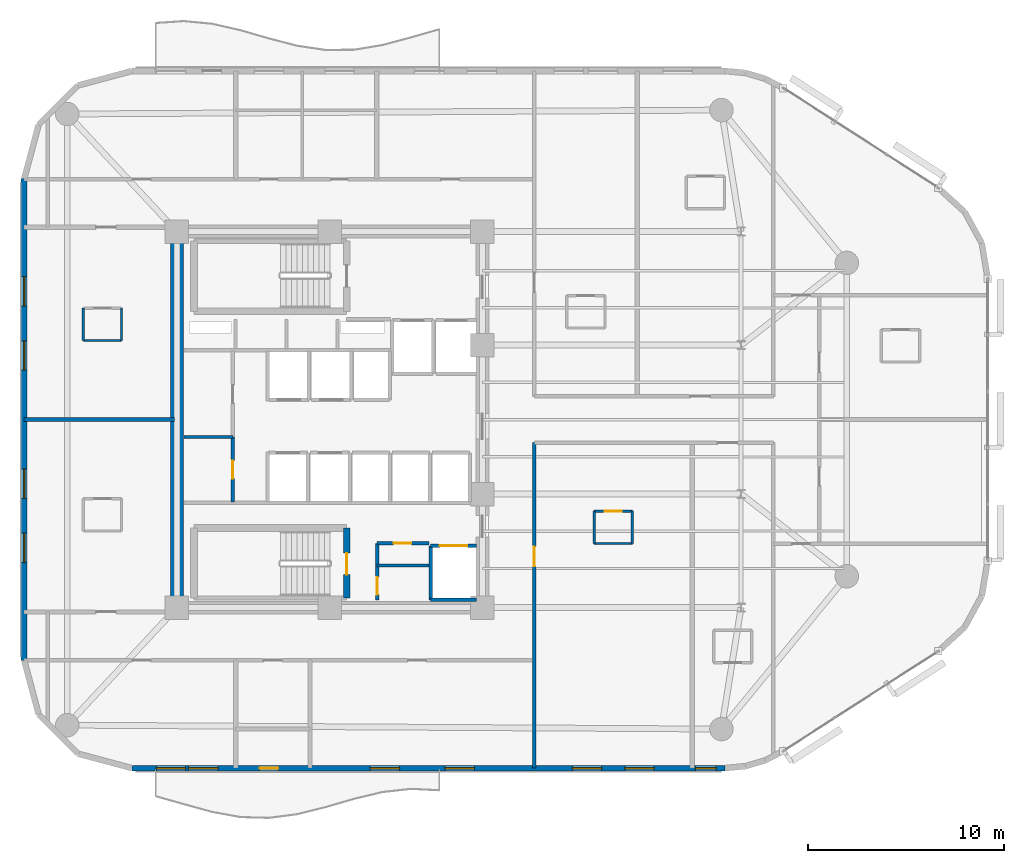
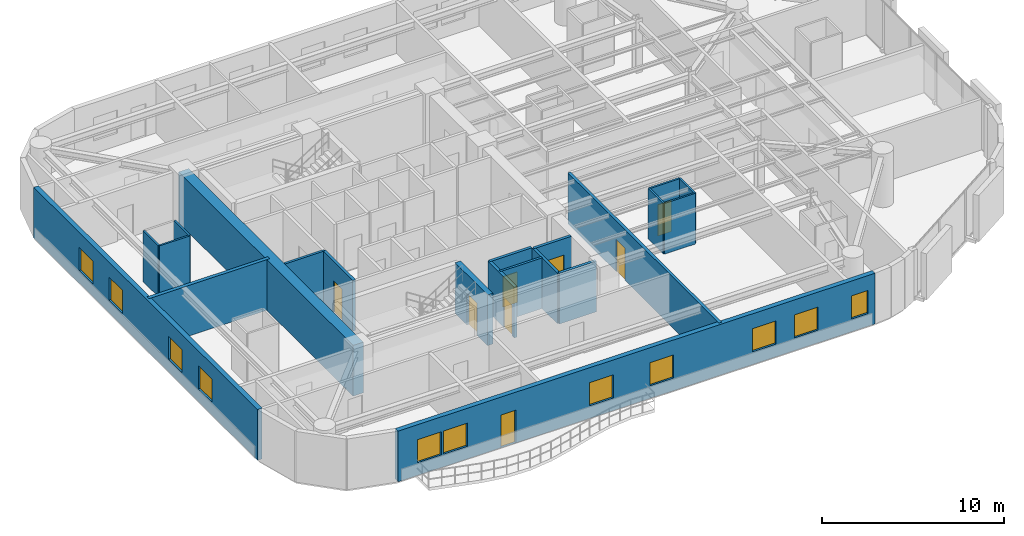
# One storey, part 10 of 15: 21 walls, 11 windows, 8 doors, 19 openings.
"""IFC4 building model written with IfcOpenShell, lengths in metres."""

from ifc_helpers import new_model, si_unit, direction, frame, frame_2d, origin, place, context, subcontext, project, spatial, rectangle, extrude, material, layer, layer_set, type_object, element, fill, save


model = new_model("IFC4")

# Units and contexts
model_context = context("Model", 3, precision=1e-05, world=origin(), true_north=direction((0.0, 1.0)))
body_context = subcontext(model_context, "Body", "Model", "MODEL_VIEW")
ifc_project = project(units=[si_unit("LENGTHUNIT", "METRE"), si_unit("AREAUNIT", "SQUARE_METRE"), si_unit("VOLUMEUNIT", "CUBIC_METRE"), si_unit("PLANEANGLEUNIT", "RADIAN"), si_unit("MASSUNIT", "GRAM", prefix="KILO")], contexts=[model_context])

# Site, building, storey
site_placement = place(None, origin())
site = spatial("IfcSite", under=ifc_project, at=site_placement, CompositionType="ELEMENT")
building_placement = place(site_placement, origin())
building = spatial("IfcBuilding", under=site, at=building_placement, Name="An Khanh Terracotta Commons", CompositionType="ELEMENT")
storey_placement = place(building_placement, frame((0.0, 0.0, 147.39990234375)))
storey = spatial("IfcBuildingStorey", under=building, at=storey_placement, Name="L38", CompositionType="ELEMENT", Elevation=147.39990234375)

# Wall
ifc_material_1 = material(Name="Concrete C60/75", Category="concrete")
ifc_layer_1 = layer(ifc_material_1, 0.64990234375, Name="Concrete C60/75")
ifc_layer_set_1 = layer_set([ifc_layer_1], Name="Concrete C60/75")
wall_type_1 = type_object("IfcWallType", Name="WALL-CORE-650", PredefinedType="SHEAR", material=ifc_layer_set_1)
wall_1_placement = place(storey_placement, frame((21.60009765625, 14.39990234375, 0.0), z_axis=(0.0, 0.0, 1.0), x_axis=(0.0, 1.0, 0.0)))
element("IfcWall", 1, at=wall_1_placement, inside=storey, type_object=wall_type_1, Name="L38 Core Wall CWALL-L38-W", PredefinedType="SHEAR", context=body_context, shape_type="SweptSolid", body=[
    extrude(rectangle(XDim=19.2001953125, YDim=0.64990234375, at=frame_2d((9.60009765625, 0.0))), origin(), (0.0, 0.0, 1.0), 3.400146484375),
])

# Wall, opening, door
ifc_material_2 = material(Name="Fire-Rated Gypsum Board on Steel Stud", Category="steel")
ifc_layer_2 = layer(ifc_material_2, 0.179931640625, Name="Fire-Rated Gypsum Board on Steel Stud")
ifc_layer_set_2 = layer_set([ifc_layer_2], Name="Fire-Rated Gypsum Board on Steel Stud")
wall_type_2 = type_object("IfcWallType", Name="WALL-CORR-180", PredefinedType="PARTITIONING", material=ifc_layer_set_2)
wall_2_placement = place(storey_placement, frame((31.820068359375, 17.679931640625, 0.0), z_axis=(0.0, 0.0, 1.0), x_axis=(1.0, 0.0, 0.0)))
wall_2 = element("IfcWall", 2, at=wall_2_placement, inside=storey, type_object=wall_type_2, Name="L38 Core Wall SSVCW-L38-N", PredefinedType="PARTITIONING", context=body_context, shape_type="SweptSolid", body=[
    extrude(rectangle(XDim=2.659912109375, YDim=0.179931640625, at=frame_2d((1.330078125, 0.0))), origin(), (0.0, 0.0, 1.0), 3.400146484375),
])
opening_1_placement = place(wall_2_placement, frame((0.85009765625, 0.0, 0.0)))
opening_1 = element("IfcOpeningElement", 3, at=opening_1_placement, cuts=wall_2, Name="Opening D-SV", PredefinedType="OPENING", context=body_context, shape_type="SweptSolid", body=[
    extrude(rectangle(XDim=0.89990234375, YDim=2.050048828125, at=frame_2d((0.449951171875, 1.02490234375))), frame((0.0, 0.099853515625, 0.0), z_axis=(0.0, -1.0, 0.0), x_axis=(1.0, 0.0, 0.0)), (0.0, 0.0, 1.0), 0.199951171875),
])
ifc_material_3 = material(Name="Fire-Rated Powder-Coated Steel Door", Category="steel")
door_type_1 = type_object("IfcDoorType", Name="DOOR-SERV-900", OperationType="NOTDEFINED", PredefinedType="DOOR", material=ifc_material_3)
door_1_placement = place(opening_1_placement, origin())
door_1 = element("IfcDoor", 4, at=door_1_placement, inside=storey, type_object=door_type_1, Name="L38 Core Cleaner Store Door", OperationType="SINGLE_SWING_LEFT", OverallHeight=2.050048828125, OverallWidth=0.89990234375, PredefinedType="DOOR", context=body_context, shape_type="SweptSolid", body=[
    extrude(rectangle(XDim=0.89990234375, YDim=2.050048828125, at=frame_2d((0.449951171875, 1.02490234375))), frame((0.0, 0.02490234375, 0.0), z_axis=(0.0, -1.0, 0.0), x_axis=(1.0, 0.0, 0.0)), (0.0, 0.0, 1.0), 0.050048828125),
])
fill(opening_1, door_1)

wall_3_placement = place(storey_placement, frame((31.820068359375, 14.800048828125, 0.0), z_axis=(0.0, 0.0, 1.0), x_axis=(0.0, 1.0, 0.0)))
wall_3 = element("IfcWall", 5, at=wall_3_placement, inside=storey, type_object=wall_type_2, Name="L38 Core Wall SSVCW-L38-W", PredefinedType="PARTITIONING", context=body_context, shape_type="SweptSolid", body=[
    extrude(rectangle(XDim=2.8798828125, YDim=0.179931640625, at=frame_2d((1.43994140625, 0.0))), origin(), (0.0, 0.0, 1.0), 3.400146484375),
])
opening_2_placement = place(wall_3_placement, frame((0.260009765625, 0.0, 0.0)))
opening_2 = element("IfcOpeningElement", 6, at=opening_2_placement, cuts=wall_3, Name="Opening D-SV", PredefinedType="OPENING", context=body_context, shape_type="SweptSolid", body=[
    extrude(rectangle(XDim=0.89990234375, YDim=2.050048828125, at=frame_2d((0.449951171875, 1.02490234375))), frame((0.0, 0.099853515625, 0.0), z_axis=(0.0, -1.0, 0.0), x_axis=(1.0, 0.0, 0.0)), (0.0, 0.0, 1.0), 0.199951171875),
])
door_2_placement = place(opening_2_placement, origin())
door_2 = element("IfcDoor", 7, at=door_2_placement, inside=storey, type_object=door_type_1, Name="L38 Telecoms BMS Cupboard Door", OperationType="SINGLE_SWING_RIGHT", OverallHeight=2.050048828125, OverallWidth=0.89990234375, PredefinedType="DOOR", context=body_context, shape_type="SweptSolid", body=[
    extrude(rectangle(XDim=0.89990234375, YDim=2.050048828125, at=frame_2d((0.449951171875, 1.02490234375))), frame((0.0, 0.02490234375, 0.0), z_axis=(0.0, -1.0, 0.0), x_axis=(1.0, 0.0, 0.0)), (0.0, 0.0, 1.0), 0.050048828125),
])
fill(opening_2, door_2)

wall_4_placement = place(storey_placement, frame((34.550048828125, 17.550048828125, 0.0), z_axis=(0.0, 0.0, 1.0), x_axis=(1.0, 0.0, 0.0)))
wall_4 = element("IfcWall", 8, at=wall_4_placement, inside=storey, type_object=wall_type_2, Name="L38 Core Wall LSH-L38-SVL-01-N", PredefinedType="PARTITIONING", context=body_context, shape_type="SweptSolid", body=[
    extrude(rectangle(XDim=2.349853515625, YDim=0.179931640625, at=frame_2d((1.1748046875, 0.0))), origin(), (0.0, 0.0, 1.0), 3.400146484375),
])
opening_3_placement = place(wall_4_placement, frame((0.47509765625, 0.0, 0.0)))
opening_3 = element("IfcOpeningElement", 9, at=opening_3_placement, cuts=wall_4, Name="Opening LD-SVL-01-L38", PredefinedType="OPENING", context=body_context, shape_type="SweptSolid", body=[
    extrude(rectangle(XDim=1.39990234375, YDim=2.300048828125, at=frame_2d((0.699951171875, 1.14990234375))), frame((0.0, 0.099853515625, 0.0), z_axis=(0.0, -1.0, 0.0), x_axis=(1.0, 0.0, 0.0)), (0.0, 0.0, 1.0), 0.199951171875),
])
ifc_material_4 = material(Name="Heavy-Duty Stainless Steel Goods Landing Door", Category="steel")
door_type_2 = type_object("IfcDoorType", Name="DOOR-LD-SVL-1400", OperationType="NOTDEFINED", PredefinedType="DOOR", material=ifc_material_4)
door_3_placement = place(opening_3_placement, origin())
door_3 = element("IfcDoor", 10, at=door_3_placement, inside=storey, type_object=door_type_2, Name="L38 Lift SVL-01 Sliding Landing Door", OperationType="DOUBLE_DOOR_SLIDING", OverallHeight=2.300048828125, OverallWidth=1.39990234375, PredefinedType="DOOR", context=body_context, shape_type="SweptSolid", body=[
    extrude(rectangle(XDim=1.39990234375, YDim=2.300048828125, at=frame_2d((0.699951171875, 1.14990234375))), frame((0.0, 0.02490234375, 0.0), z_axis=(0.0, -1.0, 0.0), x_axis=(1.0, 0.0, 0.0)), (0.0, 0.0, 1.0), 0.050048828125),
])
fill(opening_3, door_3)

# Walls
wall_5_placement = place(storey_placement, frame((36.89990234375, 14.800048828125, 0.0), z_axis=(0.0, 0.0, 1.0), x_axis=(-1.0, 0.0, 0.0)))
element("IfcWall", 11, at=wall_5_placement, inside=storey, type_object=wall_type_2, Name="L38 Core Wall LSH-L38-SVL-01-S", PredefinedType="PARTITIONING", context=body_context, shape_type="SweptSolid", body=[
    extrude(rectangle(XDim=2.349853515625, YDim=0.179931640625, at=frame_2d((1.1748046875, 0.0))), origin(), (0.0, 0.0, 1.0), 3.400146484375),
])
wall_6_placement = place(storey_placement, frame((34.550048828125, 17.550048828125, 0.0), z_axis=(0.0, 0.0, 1.0), x_axis=(0.0, -1.0, 0.0)))
element("IfcWall", 12, at=wall_6_placement, inside=storey, type_object=wall_type_2, Name="L38 Core Wall LSH-L38-SVL-01-W", PredefinedType="PARTITIONING", context=body_context, shape_type="SweptSolid", body=[
    extrude(rectangle(XDim=2.75, YDim=0.179931640625, at=frame_2d((1.375, 0.0))), origin(), (0.0, 0.0, 1.0), 3.400146484375),
])

# Wall, opening, door
wall_7_placement = place(storey_placement, frame((24.4599609375, 19.800048828125, 0.0), z_axis=(0.0, 0.0, 1.0), x_axis=(0.0, 1.0, 0.0)))
wall_7 = element("IfcWall", 13, at=wall_7_placement, inside=storey, type_object=wall_type_2, Name="L38 Core Wall RECW-L38-E2", PredefinedType="PARTITIONING", context=body_context, shape_type="SweptSolid", body=[
    extrude(rectangle(XDim=3.300048828125, YDim=0.179931640625, at=frame_2d((1.64990234375, 0.0))), origin(), (0.0, 0.0, 1.0), 3.400146484375),
])
opening_4_placement = place(wall_7_placement, frame((1.18994140625, 0.0, 0.0)))
opening_4 = element("IfcOpeningElement", 14, at=opening_4_placement, cuts=wall_7, Name="Opening D-RM", PredefinedType="OPENING", context=body_context, shape_type="SweptSolid", body=[
    extrude(rectangle(XDim=0.919921875, YDim=2.10009765625, at=frame_2d((0.4599609375, 1.050048828125))), frame((0.0, 0.099853515625, 0.0), z_axis=(0.0, -1.0, 0.0), x_axis=(1.0, 0.0, 0.0)), (0.0, 0.0, 1.0), 0.199951171875),
])
ifc_material_5 = material(Name="Engineered Hardwood Timber Leaf", Category="wood")
door_type_3 = type_object("IfcDoorType", Name="DOOR-INT-920", OperationType="NOTDEFINED", PredefinedType="DOOR", material=ifc_material_5)
door_4_placement = place(opening_4_placement, origin())
door_4 = element("IfcDoor", 15, at=door_4_placement, inside=storey, type_object=door_type_3, Name="L38 Quiet Focus Booth Door", OperationType="SINGLE_SWING_RIGHT", OverallHeight=2.10009765625, OverallWidth=0.919921875, PredefinedType="DOOR", context=body_context, shape_type="SweptSolid", body=[
    extrude(rectangle(XDim=0.919921875, YDim=2.10009765625, at=frame_2d((0.4599609375, 1.050048828125))), frame((0.0, 0.02490234375, 0.0), z_axis=(0.0, -1.0, 0.0), x_axis=(1.0, 0.0, 0.0)), (0.0, 0.0, 1.0), 0.050048828125),
])
fill(opening_4, door_4)

wall_8_placement = place(storey_placement, frame((39.85009765625, 6.199951171875, 0.0), z_axis=(0.0, 0.0, 1.0), x_axis=(0.0, 1.0, 0.0)))
wall_8 = element("IfcWall", 16, at=wall_8_placement, inside=storey, type_object=wall_type_2, Name="L38 Interior Partition IW-L38-E020", PredefinedType="PARTITIONING", context=body_context, shape_type="SweptSolid", body=[
    extrude(rectangle(XDim=16.6201171875, YDim=0.179931640625, at=frame_2d((8.31005859375, 0.0))), origin(), (0.0, 0.0, 1.0), 3.400146484375),
])
opening_5_placement = place(wall_8_placement, frame((10.31005859375, 0.0, 0.0)))
opening_5 = element("IfcOpeningElement", 17, at=opening_5_placement, cuts=wall_8, Name="Opening D-UN", PredefinedType="OPENING", context=body_context, shape_type="SweptSolid", body=[
    extrude(rectangle(XDim=1.0, YDim=2.14990234375, at=frame_2d((0.5, 1.074951171875))), frame((0.0, 0.099853515625, 0.0), z_axis=(0.0, -1.0, 0.0), x_axis=(1.0, 0.0, 0.0)), (0.0, 0.0, 1.0), 0.199951171875),
])
ifc_material_6 = material(Name="Solid-Core Hardwood Acoustic Fire Door", Category="wood")
door_type_4 = type_object("IfcDoorType", Name="DOOR-UNIT-1000", OperationType="NOTDEFINED", PredefinedType="DOOR", material=ifc_material_6)
door_5_placement = place(opening_5_placement, origin())
door_5 = element("IfcDoor", 18, at=door_5_placement, inside=storey, type_object=door_type_4, Name="L38 SB1 Kitchenette and Studio Apartment Door", OperationType="SINGLE_SWING_LEFT", OverallHeight=2.14990234375, OverallWidth=1.0, PredefinedType="DOOR", context=body_context, shape_type="SweptSolid", body=[
    extrude(rectangle(XDim=1.0, YDim=2.14990234375, at=frame_2d((0.5, 1.074951171875))), frame((0.0, 0.02490234375, 0.0), z_axis=(0.0, -1.0, 0.0), x_axis=(1.0, 0.0, 0.0)), (0.0, 0.0, 1.0), 0.050048828125),
])
fill(opening_5, door_5)

# Wall, openings, door, windows
ifc_material_7 = material(Name="Precast concrete C40/50", Category="concrete")
ifc_layer_3 = layer(ifc_material_7, 0.300048828125, Name="Precast concrete C40/50")
ifc_layer_set_3 = layer_set([ifc_layer_3], Name="Precast concrete C40/50")
wall_type_3 = type_object("IfcWallType", Name="WALL-EXT-300", PredefinedType="SOLIDWALL", material=ifc_layer_set_3)
wall_9_placement = place(storey_placement, frame((19.300048828125, 6.199951171875, 0.0), z_axis=(0.0, 0.0, 1.0), x_axis=(1.0, 0.0, 0.0)))
wall_9 = element("IfcWall", 19, at=wall_9_placement, inside=storey, type_object=wall_type_3, Name="L38 Insulated Terracotta Exterior Wall 4", PredefinedType="SOLIDWALL", context=body_context, shape_type="SweptSolid", body=[
    extrude(rectangle(XDim=30.281982421875, YDim=0.300048828125, at=frame_2d((15.14111328125, 0.0))), origin(), (0.0, 0.0, 1.0), 3.400146484375),
])
opening_6_placement = place(wall_9_placement, frame((6.52490234375, 0.0, 0.0)))
opening_6 = element("IfcOpeningElement", 20, at=opening_6_placement, cuts=wall_9, Name="Opening D-BAL", PredefinedType="OPENING", context=body_context, shape_type="SweptSolid", body=[
    extrude(rectangle(XDim=0.949951171875, YDim=2.199951171875, at=frame_2d((0.47509765625, 1.10009765625))), frame((0.0, 0.159912109375, 0.0), z_axis=(0.0, -1.0, 0.0), x_axis=(1.0, 0.0, 0.0)), (0.0, 0.0, 1.0), 0.320068359375),
])
opening_7_placement = place(wall_9_placement, frame((1.25, 0.0, 0.85009765625)))
opening_7 = element("IfcOpeningElement", 21, at=opening_7_placement, cuts=wall_9, Name="Opening W-03", PredefinedType="OPENING", context=body_context, shape_type="SweptSolid", body=[
    extrude(rectangle(XDim=1.5, YDim=1.550048828125, at=frame_2d((0.75, 0.77490234375))), frame((0.0, 0.159912109375, 0.0), z_axis=(0.0, -1.0, 0.0), x_axis=(1.0, 0.0, 0.0)), (0.0, 0.0, 1.0), 0.320068359375),
])
opening_8_placement = place(wall_9_placement, frame((2.89990234375, 0.0, 0.85009765625)))
opening_8 = element("IfcOpeningElement", 22, at=opening_8_placement, cuts=wall_9, Name="Opening W-03", PredefinedType="OPENING", context=body_context, shape_type="SweptSolid", body=[
    extrude(rectangle(XDim=1.5, YDim=1.550048828125, at=frame_2d((0.75, 0.77490234375))), frame((0.0, 0.159912109375, 0.0), z_axis=(0.0, -1.0, 0.0), x_axis=(1.0, 0.0, 0.0)), (0.0, 0.0, 1.0), 0.320068359375),
])
opening_9_placement = place(wall_9_placement, frame((12.1669921875, 0.0, 0.85009765625)))
opening_9 = element("IfcOpeningElement", 23, at=opening_9_placement, cuts=wall_9, Name="Opening W-03", PredefinedType="OPENING", context=body_context, shape_type="SweptSolid", body=[
    extrude(rectangle(XDim=1.5, YDim=1.550048828125, at=frame_2d((0.75, 0.77490234375))), frame((0.0, 0.159912109375, 0.0), z_axis=(0.0, -1.0, 0.0), x_axis=(1.0, 0.0, 0.0)), (0.0, 0.0, 1.0), 0.320068359375),
])
opening_10_placement = place(wall_9_placement, frame((15.98291015625, 0.0, 0.85009765625)))
opening_10 = element("IfcOpeningElement", 24, at=opening_10_placement, cuts=wall_9, Name="Opening W-03", PredefinedType="OPENING", context=body_context, shape_type="SweptSolid", body=[
    extrude(rectangle(XDim=1.5, YDim=1.550048828125, at=frame_2d((0.75, 0.77490234375))), frame((0.0, 0.159912109375, 0.0), z_axis=(0.0, -1.0, 0.0), x_axis=(1.0, 0.0, 0.0)), (0.0, 0.0, 1.0), 0.320068359375),
])
opening_11_placement = place(wall_9_placement, frame((22.48388671875, 0.0, 0.85009765625)))
opening_11 = element("IfcOpeningElement", 25, at=opening_11_placement, cuts=wall_9, Name="Opening W-03", PredefinedType="OPENING", context=body_context, shape_type="SweptSolid", body=[
    extrude(rectangle(XDim=1.5, YDim=1.550048828125, at=frame_2d((0.75, 0.77490234375))), frame((0.0, 0.159912109375, 0.0), z_axis=(0.0, -1.0, 0.0), x_axis=(1.0, 0.0, 0.0)), (0.0, 0.0, 1.0), 0.320068359375),
])
opening_12_placement = place(wall_9_placement, frame((25.16796875, 0.0, 0.85009765625)))
opening_12 = element("IfcOpeningElement", 26, at=opening_12_placement, cuts=wall_9, Name="Opening W-03", PredefinedType="OPENING", context=body_context, shape_type="SweptSolid", body=[
    extrude(rectangle(XDim=1.5, YDim=1.550048828125, at=frame_2d((0.75, 0.77490234375))), frame((0.0, 0.159912109375, 0.0), z_axis=(0.0, -1.0, 0.0), x_axis=(1.0, 0.0, 0.0)), (0.0, 0.0, 1.0), 0.320068359375),
])
opening_13_placement = place(wall_9_placement, frame((28.77294921875, 0.0, 0.85009765625)))
opening_13 = element("IfcOpeningElement", 27, at=opening_13_placement, cuts=wall_9, Name="Opening W-06", PredefinedType="OPENING", context=body_context, shape_type="SweptSolid", body=[
    extrude(rectangle(XDim=1.050048828125, YDim=1.550048828125, at=frame_2d((0.52490234375, 0.77490234375))), frame((0.0, 0.159912109375, 0.0), z_axis=(0.0, -1.0, 0.0), x_axis=(1.0, 0.0, 0.0)), (0.0, 0.0, 1.0), 0.320068359375),
])
ifc_material_8 = material(Name="Thermally Broken Aluminium and Low-E Glass", Category="aluminium")
door_type_5 = type_object("IfcDoorType", Name="DOOR-BALC-950", OperationType="NOTDEFINED", PredefinedType="DOOR", material=ifc_material_8)
door_6_placement = place(opening_6_placement, origin())
door_6 = element("IfcDoor", 28, at=door_6_placement, inside=storey, type_object=door_type_5, Name="L38 S Wave Balcony Glazed Door", OperationType="SINGLE_SWING_LEFT", OverallHeight=2.199951171875, OverallWidth=0.949951171875, PredefinedType="DOOR", context=body_context, shape_type="SweptSolid", body=[
    extrude(rectangle(XDim=0.949951171875, YDim=2.199951171875, at=frame_2d((0.47509765625, 1.10009765625))), frame((0.0, 0.02490234375, 0.0), z_axis=(0.0, -1.0, 0.0), x_axis=(1.0, 0.0, 0.0)), (0.0, 0.0, 1.0), 0.050048828125),
])
fill(opening_6, door_6)
window_type_1 = type_object("IfcWindowType", Name="WIN-COR-1050x1550", PartitioningType="SINGLE_PANEL", PredefinedType="WINDOW", material=ifc_material_8)
window_1_placement = place(opening_13_placement, origin())
window_1 = element("IfcWindow", 29, at=window_1_placement, inside=storey, type_object=window_type_1, Name="L38 L38-SB2 Dwelling Casement Window", OverallHeight=1.550048828125, OverallWidth=1.050048828125, PartitioningType="SINGLE_PANEL", PredefinedType="WINDOW", context=body_context, shape_type="SweptSolid", body=[
    extrude(rectangle(XDim=1.050048828125, YDim=1.550048828125, at=frame_2d((0.52490234375, 0.77490234375))), frame((0.0, 0.030029296875, 0.0), z_axis=(0.0, -1.0, 0.0), x_axis=(1.0, 0.0, 0.0)), (0.0, 0.0, 1.0), 0.06005859375),
])
fill(opening_13, window_1)
window_type_2 = type_object("IfcWindowType", Name="WIN-Z3-1500x1550", PartitioningType="DOUBLE_PANEL_VERTICAL", PredefinedType="WINDOW", material=ifc_material_8)
window_2_placement = place(opening_7_placement, origin())
window_2 = element("IfcWindow", 30, at=window_2_placement, inside=storey, type_object=window_type_2, Name="L38 Operable Casement Window 4.1", OverallHeight=1.550048828125, OverallWidth=1.5, PartitioningType="DOUBLE_PANEL_VERTICAL", PredefinedType="WINDOW", context=body_context, shape_type="SweptSolid", body=[
    extrude(rectangle(XDim=1.5, YDim=1.550048828125, at=frame_2d((0.75, 0.77490234375))), frame((0.0, 0.030029296875, 0.0), z_axis=(0.0, -1.0, 0.0), x_axis=(1.0, 0.0, 0.0)), (0.0, 0.0, 1.0), 0.06005859375),
])
fill(opening_7, window_2)
window_3_placement = place(opening_8_placement, origin())
window_3 = element("IfcWindow", 31, at=window_3_placement, inside=storey, type_object=window_type_2, Name="L38 Operable Casement Window 4.2", OverallHeight=1.550048828125, OverallWidth=1.5, PartitioningType="DOUBLE_PANEL_VERTICAL", PredefinedType="WINDOW", context=body_context, shape_type="SweptSolid", body=[
    extrude(rectangle(XDim=1.5, YDim=1.550048828125, at=frame_2d((0.75, 0.77490234375))), frame((0.0, 0.030029296875, 0.0), z_axis=(0.0, -1.0, 0.0), x_axis=(1.0, 0.0, 0.0)), (0.0, 0.0, 1.0), 0.06005859375),
])
fill(opening_8, window_3)
window_4_placement = place(opening_9_placement, origin())
window_4 = element("IfcWindow", 32, at=window_4_placement, inside=storey, type_object=window_type_2, Name="L38 Operable Casement Window 4.3", OverallHeight=1.550048828125, OverallWidth=1.5, PartitioningType="DOUBLE_PANEL_VERTICAL", PredefinedType="WINDOW", context=body_context, shape_type="SweptSolid", body=[
    extrude(rectangle(XDim=1.5, YDim=1.550048828125, at=frame_2d((0.75, 0.77490234375))), frame((0.0, 0.030029296875, 0.0), z_axis=(0.0, -1.0, 0.0), x_axis=(1.0, 0.0, 0.0)), (0.0, 0.0, 1.0), 0.06005859375),
])
fill(opening_9, window_4)
window_5_placement = place(opening_10_placement, origin())
window_5 = element("IfcWindow", 33, at=window_5_placement, inside=storey, type_object=window_type_2, Name="L38 Operable Casement Window 4.4", OverallHeight=1.550048828125, OverallWidth=1.5, PartitioningType="DOUBLE_PANEL_VERTICAL", PredefinedType="WINDOW", context=body_context, shape_type="SweptSolid", body=[
    extrude(rectangle(XDim=1.5, YDim=1.550048828125, at=frame_2d((0.75, 0.77490234375))), frame((0.0, 0.030029296875, 0.0), z_axis=(0.0, -1.0, 0.0), x_axis=(1.0, 0.0, 0.0)), (0.0, 0.0, 1.0), 0.06005859375),
])
fill(opening_10, window_5)
window_6_placement = place(opening_11_placement, origin())
window_6 = element("IfcWindow", 34, at=window_6_placement, inside=storey, type_object=window_type_2, Name="L38 Operable Casement Window 4.5", OverallHeight=1.550048828125, OverallWidth=1.5, PartitioningType="DOUBLE_PANEL_VERTICAL", PredefinedType="WINDOW", context=body_context, shape_type="SweptSolid", body=[
    extrude(rectangle(XDim=1.5, YDim=1.550048828125, at=frame_2d((0.75, 0.77490234375))), frame((0.0, 0.030029296875, 0.0), z_axis=(0.0, -1.0, 0.0), x_axis=(1.0, 0.0, 0.0)), (0.0, 0.0, 1.0), 0.06005859375),
])
fill(opening_11, window_6)
window_7_placement = place(opening_12_placement, origin())
window_7 = element("IfcWindow", 35, at=window_7_placement, inside=storey, type_object=window_type_2, Name="L38 Operable Casement Window 4.6", OverallHeight=1.550048828125, OverallWidth=1.5, PartitioningType="DOUBLE_PANEL_VERTICAL", PredefinedType="WINDOW", context=body_context, shape_type="SweptSolid", body=[
    extrude(rectangle(XDim=1.5, YDim=1.550048828125, at=frame_2d((0.75, 0.77490234375))), frame((0.0, 0.030029296875, 0.0), z_axis=(0.0, -1.0, 0.0), x_axis=(1.0, 0.0, 0.0)), (0.0, 0.0, 1.0), 0.06005859375),
])
fill(opening_12, window_7)

# Wall, openings, windows
wall_10_placement = place(storey_placement, frame((13.800048828125, 36.300048828125, 0.0), z_axis=(0.0, 0.0, 1.0), x_axis=(0.0, -1.0, 0.0)))
wall_10 = element("IfcWall", 36, at=wall_10_placement, inside=storey, type_object=wall_type_3, Name="L38 Insulated Terracotta Exterior Wall 24", PredefinedType="SOLIDWALL", context=body_context, shape_type="SweptSolid", body=[
    extrude(rectangle(XDim=24.60009765625, YDim=0.300048828125, at=frame_2d((12.300048828125, 0.0))), origin(), (0.0, 0.0, 1.0), 3.400146484375),
])
opening_14_placement = place(wall_10_placement, frame((5.0029296875, 0.0, 0.85009765625)))
opening_14 = element("IfcOpeningElement", 37, at=opening_14_placement, cuts=wall_10, Name="Opening W-03", PredefinedType="OPENING", context=body_context, shape_type="SweptSolid", body=[
    extrude(rectangle(XDim=1.5, YDim=1.550048828125, at=frame_2d((0.75, 0.77490234375))), frame((0.0, 0.159912109375, 0.0), z_axis=(0.0, -1.0, 0.0), x_axis=(1.0, 0.0, 0.0)), (0.0, 0.0, 1.0), 0.320068359375),
])
opening_15_placement = place(wall_10_placement, frame((8.277099609375, 0.0, 0.85009765625)))
opening_15 = element("IfcOpeningElement", 38, at=opening_15_placement, cuts=wall_10, Name="Opening W-03", PredefinedType="OPENING", context=body_context, shape_type="SweptSolid", body=[
    extrude(rectangle(XDim=1.5, YDim=1.550048828125, at=frame_2d((0.75, 0.77490234375))), frame((0.0, 0.159912109375, 0.0), z_axis=(0.0, -1.0, 0.0), x_axis=(1.0, 0.0, 0.0)), (0.0, 0.0, 1.0), 0.320068359375),
])
opening_16_placement = place(wall_10_placement, frame((14.822998046875, 0.0, 0.85009765625)))
opening_16 = element("IfcOpeningElement", 39, at=opening_16_placement, cuts=wall_10, Name="Opening W-03", PredefinedType="OPENING", context=body_context, shape_type="SweptSolid", body=[
    extrude(rectangle(XDim=1.5, YDim=1.550048828125, at=frame_2d((0.75, 0.77490234375))), frame((0.0, 0.159912109375, 0.0), z_axis=(0.0, -1.0, 0.0), x_axis=(1.0, 0.0, 0.0)), (0.0, 0.0, 1.0), 0.320068359375),
])
opening_17_placement = place(wall_10_placement, frame((18.096923828125, 0.0, 0.85009765625)))
opening_17 = element("IfcOpeningElement", 40, at=opening_17_placement, cuts=wall_10, Name="Opening W-03", PredefinedType="OPENING", context=body_context, shape_type="SweptSolid", body=[
    extrude(rectangle(XDim=1.5, YDim=1.550048828125, at=frame_2d((0.75, 0.77490234375))), frame((0.0, 0.159912109375, 0.0), z_axis=(0.0, -1.0, 0.0), x_axis=(1.0, 0.0, 0.0)), (0.0, 0.0, 1.0), 0.320068359375),
])
window_8_placement = place(opening_14_placement, origin())
window_8 = element("IfcWindow", 41, at=window_8_placement, inside=storey, type_object=window_type_2, Name="L38 Operable Casement Window 24.1", OverallHeight=1.550048828125, OverallWidth=1.5, PartitioningType="DOUBLE_PANEL_VERTICAL", PredefinedType="WINDOW", context=body_context, shape_type="SweptSolid", body=[
    extrude(rectangle(XDim=1.5, YDim=1.550048828125, at=frame_2d((0.75, 0.77490234375))), frame((0.0, 0.030029296875, 0.0), z_axis=(0.0, -1.0, 0.0), x_axis=(1.0, 0.0, 0.0)), (0.0, 0.0, 1.0), 0.06005859375),
])
fill(opening_14, window_8)
window_9_placement = place(opening_15_placement, origin())
window_9 = element("IfcWindow", 42, at=window_9_placement, inside=storey, type_object=window_type_2, Name="L38 Operable Casement Window 24.2", OverallHeight=1.550048828125, OverallWidth=1.5, PartitioningType="DOUBLE_PANEL_VERTICAL", PredefinedType="WINDOW", context=body_context, shape_type="SweptSolid", body=[
    extrude(rectangle(XDim=1.5, YDim=1.550048828125, at=frame_2d((0.75, 0.77490234375))), frame((0.0, 0.030029296875, 0.0), z_axis=(0.0, -1.0, 0.0), x_axis=(1.0, 0.0, 0.0)), (0.0, 0.0, 1.0), 0.06005859375),
])
fill(opening_15, window_9)
window_10_placement = place(opening_16_placement, origin())
window_10 = element("IfcWindow", 43, at=window_10_placement, inside=storey, type_object=window_type_2, Name="L38 Operable Casement Window 24.3", OverallHeight=1.550048828125, OverallWidth=1.5, PartitioningType="DOUBLE_PANEL_VERTICAL", PredefinedType="WINDOW", context=body_context, shape_type="SweptSolid", body=[
    extrude(rectangle(XDim=1.5, YDim=1.550048828125, at=frame_2d((0.75, 0.77490234375))), frame((0.0, 0.030029296875, 0.0), z_axis=(0.0, -1.0, 0.0), x_axis=(1.0, 0.0, 0.0)), (0.0, 0.0, 1.0), 0.06005859375),
])
fill(opening_16, window_10)
window_11_placement = place(opening_17_placement, origin())
window_11 = element("IfcWindow", 44, at=window_11_placement, inside=storey, type_object=window_type_2, Name="L38 Operable Casement Window 24.4", OverallHeight=1.550048828125, OverallWidth=1.5, PartitioningType="DOUBLE_PANEL_VERTICAL", PredefinedType="WINDOW", context=body_context, shape_type="SweptSolid", body=[
    extrude(rectangle(XDim=1.5, YDim=1.550048828125, at=frame_2d((0.75, 0.77490234375))), frame((0.0, 0.030029296875, 0.0), z_axis=(0.0, -1.0, 0.0), x_axis=(1.0, 0.0, 0.0)), (0.0, 0.0, 1.0), 0.06005859375),
])
fill(opening_17, window_11)

# Walls
ifc_material_9 = material(Name="Acoustic Gypsum Board Partition")
ifc_layer_4 = layer(ifc_material_9, 0.14990234375, Name="Acoustic Gypsum Board Partition")
ifc_layer_set_4 = layer_set([ifc_layer_4], Name="Acoustic Gypsum Board Partition")
wall_type_4 = type_object("IfcWallType", Name="WALL-PART-150", PredefinedType="PARTITIONING", material=ifc_layer_set_4)
wall_11_placement = place(storey_placement, frame((31.820068359375, 16.550048828125, 0.0), z_axis=(0.0, 0.0, 1.0), x_axis=(1.0, 0.0, 0.0)))
element("IfcWall", 45, at=wall_11_placement, inside=storey, type_object=wall_type_4, Name="L38 Core Wall SSVCW-L38-M", PredefinedType="PARTITIONING", context=body_context, shape_type="SweptSolid", body=[
    extrude(rectangle(XDim=2.659912109375, YDim=0.14990234375, at=frame_2d((1.330078125, 0.0))), origin(), (0.0, 0.0, 1.0), 3.400146484375),
])
wall_12_placement = place(storey_placement, frame((21.949951171875, 23.10009765625, 0.0), z_axis=(0.0, 0.0, 1.0), x_axis=(1.0, 0.0, 0.0)))
element("IfcWall", 46, at=wall_12_placement, inside=storey, type_object=wall_type_4, Name="L38 Core Wall RECW-L38-M", PredefinedType="PARTITIONING", context=body_context, shape_type="SweptSolid", body=[
    extrude(rectangle(XDim=2.510009765625, YDim=0.14990234375, at=frame_2d((1.2548828125, 0.0))), origin(), (0.0, 0.0, 1.0), 3.400146484375),
])
ifc_material_10 = material(Name="Acoustic Double-Stud Gypsum and Mineral Wool")
ifc_layer_5 = layer(ifc_material_10, 0.219970703125, Name="Acoustic Double-Stud Gypsum and Mineral Wool")
ifc_layer_set_5 = layer_set([ifc_layer_5], Name="Acoustic Double-Stud Gypsum and Mineral Wool")
wall_type_5 = type_object("IfcWallType", Name="WALL-PARTY-220", PredefinedType="PARTITIONING", material=ifc_layer_set_5)
wall_13_placement = place(storey_placement, frame((13.800048828125, 24.0, 0.0), z_axis=(0.0, 0.0, 1.0), x_axis=(1.0, 0.0, 0.0)))
element("IfcWall", 47, at=wall_13_placement, inside=storey, type_object=wall_type_5, Name="L38 Interior Partition IW-L38-E006", PredefinedType="PARTITIONING", context=body_context, shape_type="SweptSolid", body=[
    extrude(rectangle(XDim=7.679931640625, YDim=0.219970703125, at=frame_2d((3.83984375, 0.0))), origin(), (0.0, 0.0, 1.0), 3.400146484375),
])

# Wall, opening, door
ifc_material_11 = material(Name="Concrete C50/60", Category="concrete")
ifc_layer_6 = layer(ifc_material_11, 0.35009765625, Name="Concrete C50/60")
ifc_layer_set_6 = layer_set([ifc_layer_6], Name="Concrete C50/60")
wall_type_6 = type_object("IfcWallType", Name="WALL-SHAFT-350", PredefinedType="SOLIDWALL", material=ifc_layer_set_6)
wall_14_placement = place(storey_placement, frame((30.27001953125, 14.889892578125, 0.0), z_axis=(0.0, 0.0, 1.0), x_axis=(0.0, 1.0, 0.0)))
wall_14 = element("IfcWall", 48, at=wall_14_placement, inside=storey, type_object=wall_type_6, Name="L38 Core Wall STW-L38-S-E", PredefinedType="SOLIDWALL", context=body_context, shape_type="SweptSolid", body=[
    extrude(rectangle(XDim=3.580078125, YDim=0.35009765625, at=frame_2d((1.7900390625, 0.0))), origin(), (0.0, 0.0, 1.0), 3.400146484375),
])
opening_18_placement = place(wall_14_placement, frame((1.18994140625, 0.0, 0.0)))
opening_18 = element("IfcOpeningElement", 49, at=opening_18_placement, cuts=wall_14, Name="Opening D-ST", PredefinedType="OPENING", context=body_context, shape_type="SweptSolid", body=[
    extrude(rectangle(XDim=1.10009765625, YDim=2.14990234375, at=frame_2d((0.550048828125, 1.074951171875))), frame((0.0, 0.18505859375, 0.0), z_axis=(0.0, -1.0, 0.0), x_axis=(1.0, 0.0, 0.0)), (0.0, 0.0, 1.0), 0.3701171875),
])
ifc_material_12 = material(Name="Fire-Rated Steel Leaf and Frame", Category="steel")
door_type_6 = type_object("IfcDoorType", Name="DOOR-STAIR-1100", OperationType="NOTDEFINED", PredefinedType="DOOR", material=ifc_material_12)
door_7_placement = place(opening_18_placement, origin())
door_7 = element("IfcDoor", 50, at=door_7_placement, inside=storey, type_object=door_type_6, Name="L38 Stair ST-02 Fire Door", OperationType="SINGLE_SWING_RIGHT", OverallHeight=2.14990234375, OverallWidth=1.10009765625, PredefinedType="DOOR", context=body_context, shape_type="SweptSolid", body=[
    extrude(rectangle(XDim=1.10009765625, YDim=2.14990234375, at=frame_2d((0.550048828125, 1.074951171875))), frame((0.0, 0.02490234375, 0.0), z_axis=(0.0, -1.0, 0.0), x_axis=(1.0, 0.0, 0.0)), (0.0, 0.0, 1.0), 0.050048828125),
])
fill(opening_18, door_7)

ifc_material_13 = material(Name="Moisture-Resistant Cement Board Partition")
ifc_layer_7 = layer(ifc_material_13, 0.1201171875, Name="Moisture-Resistant Cement Board Partition")
ifc_layer_set_7 = layer_set([ifc_layer_7], Name="Moisture-Resistant Cement Board Partition")
wall_type_7 = type_object("IfcWallType", Name="WALL-WET-120", PredefinedType="PARTITIONING", material=ifc_layer_set_7)
wall_15_placement = place(storey_placement, frame((42.90087890625, 19.324951171875, 0.0), z_axis=(0.0, 0.0, 1.0), x_axis=(1.0, 0.0, 0.0)))
wall_15 = element("IfcWall", 51, at=wall_15_placement, inside=storey, type_object=wall_type_7, Name="L38 Interior Partition IW-L38-SB1-BN", PredefinedType="PARTITIONING", context=body_context, shape_type="SweptSolid", body=[
    extrude(rectangle(XDim=1.9501953125, YDim=0.1201171875, at=frame_2d((0.97509765625, 0.0))), origin(), (0.0, 0.0, 1.0), 3.400146484375),
])
opening_19_placement = place(wall_15_placement, frame((0.544921875, 0.0, 0.0)))
opening_19 = element("IfcOpeningElement", 52, at=opening_19_placement, cuts=wall_15, Name="Opening D-ENS", PredefinedType="OPENING", context=body_context, shape_type="SweptSolid", body=[
    extrude(rectangle(XDim=0.860107421875, YDim=2.10009765625, at=frame_2d((0.43017578125, 1.050048828125))), frame((0.0, 0.070068359375, 0.0), z_axis=(0.0, -1.0, 0.0), x_axis=(1.0, 0.0, 0.0)), (0.0, 0.0, 1.0), 0.14013671875),
])
ifc_material_14 = material(Name="Moisture-Resistant Hardwood Timber Leaf", Category="wood")
door_type_7 = type_object("IfcDoorType", Name="DOOR-BATH-860", OperationType="NOTDEFINED", PredefinedType="DOOR", material=ifc_material_14)
door_8_placement = place(opening_19_placement, origin())
door_8 = element("IfcDoor", 53, at=door_8_placement, inside=storey, type_object=door_type_7, Name="L38 Studio SB1 En-suite Door", OperationType="SINGLE_SWING_LEFT", OverallHeight=2.10009765625, OverallWidth=0.860107421875, PredefinedType="DOOR", context=body_context, shape_type="SweptSolid", body=[
    extrude(rectangle(XDim=0.860107421875, YDim=2.10009765625, at=frame_2d((0.43017578125, 1.050048828125))), frame((0.0, 0.02490234375, 0.0), z_axis=(0.0, -1.0, 0.0), x_axis=(1.0, 0.0, 0.0)), (0.0, 0.0, 1.0), 0.050048828125),
])
fill(opening_19, door_8)

# Walls
wall_16_placement = place(storey_placement, frame((44.85107421875, 17.675048828125, 0.0), z_axis=(0.0, 0.0, 1.0), x_axis=(-1.0, 0.0, 0.0)))
element("IfcWall", 54, at=wall_16_placement, inside=storey, type_object=wall_type_7, Name="L38 Interior Partition IW-L38-SB1-BS", PredefinedType="PARTITIONING", context=body_context, shape_type="SweptSolid", body=[
    extrude(rectangle(XDim=1.9501953125, YDim=0.1201171875, at=frame_2d((0.97509765625, 0.0))), origin(), (0.0, 0.0, 1.0), 3.400146484375),
])
for number, where, z_axis, x_axis, name in (
    (55, (42.90087890625, 19.324951171875, 0.0), (0.0, 0.0, 1.0), (0.0, -1.0, 0.0), "L38 Interior Partition IW-L38-SB1-BW"),
    (56, (44.85107421875, 17.675048828125, 0.0), (0.0, 0.0, 1.0), (0.0, 1.0, 0.0), "L38 Interior Partition IW-L38-SB1-BE"),
):
    element("IfcWall", number, at=place(storey_placement, frame(where, z_axis=z_axis, x_axis=x_axis)), inside=storey, type_object=wall_type_7, Name=name, PredefinedType="PARTITIONING", context=body_context, shape_type="SweptSolid", body=[
        extrude(rectangle(XDim=1.64990234375, YDim=0.1201171875, at=frame_2d((0.824951171875, 0.0))), origin(), (0.0, 0.0, 1.0), 3.400146484375),
    ])
wall_17_placement = place(storey_placement, frame((18.77490234375, 28.034912109375, 0.0), z_axis=(0.0, 0.0, 1.0), x_axis=(-1.0, 0.0, 0.0)))
element("IfcWall", 57, at=wall_17_placement, inside=storey, type_object=wall_type_7, Name="L38 Interior Partition IW-L38-WW2-BS", PredefinedType="PARTITIONING", context=body_context, shape_type="SweptSolid", body=[
    extrude(rectangle(XDim=1.949951171875, YDim=0.1201171875, at=frame_2d((0.97509765625, 0.0))), origin(), (0.0, 0.0, 1.0), 3.400146484375),
])
for number, where, z_axis, x_axis, name in (
    (58, (16.824951171875, 29.68505859375, 0.0), (0.0, 0.0, 1.0), (0.0, -1.0, 0.0), "L38 Interior Partition IW-L38-WW2-BW"),
    (59, (18.77490234375, 28.034912109375, 0.0), (0.0, 0.0, 1.0), (0.0, 1.0, 0.0), "L38 Interior Partition IW-L38-WW2-BE"),
):
    element("IfcWall", number, at=place(storey_placement, frame(where, z_axis=z_axis, x_axis=x_axis)), inside=storey, type_object=wall_type_7, Name=name, PredefinedType="PARTITIONING", context=body_context, shape_type="SweptSolid", body=[
        extrude(rectangle(XDim=1.650146484375, YDim=0.1201171875, at=frame_2d((0.8251953125, 0.0))), origin(), (0.0, 0.0, 1.0), 3.400146484375),
    ])

save(model, "model.ifc")
